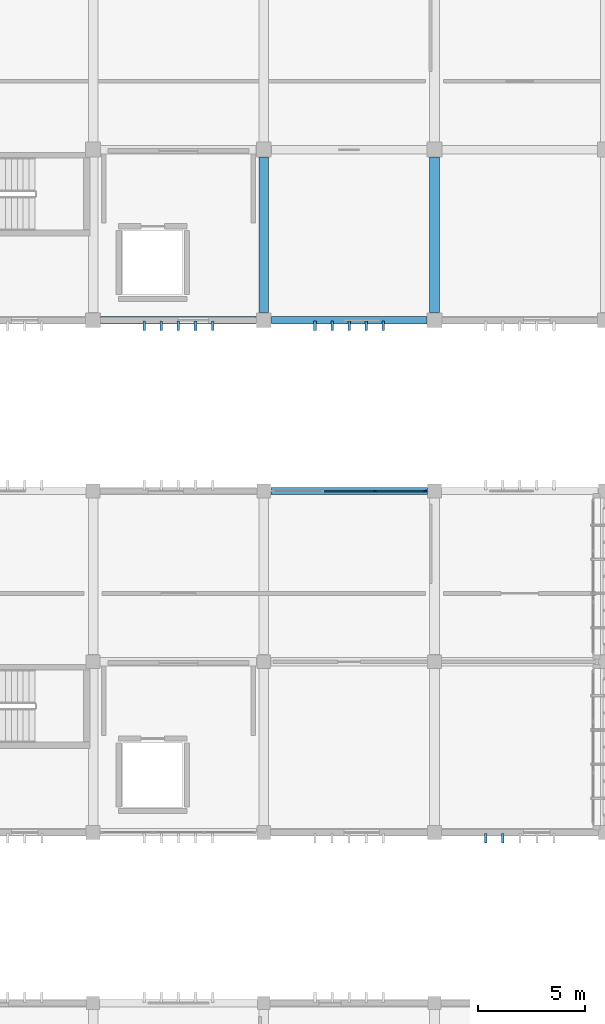
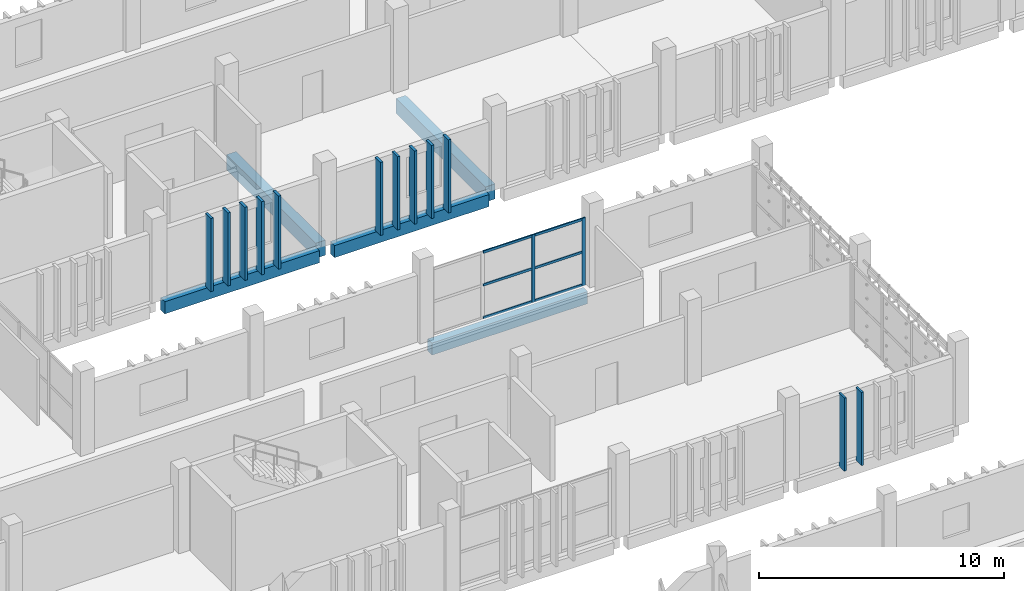
# One storey, part 28 of 137: 20 members, 5 beams, 1 element without a shape of its own.
"""IFC4 building model written with IfcOpenShell, lengths in metres."""

from ifc_helpers import new_model, si_unit, direction, frame, origin, origin_2d, place, context, subcontext, project, spatial, rectangle, extrude, material, layer, layer_set, material_profile, profile_set, type_object, element, aggregate, save


model = new_model("IFC4")

# Units and contexts
model_context = context("Model", 3, precision=1e-05, world=origin(), true_north=direction((0.0, 1.0)))
body_context = subcontext(model_context, "Body", "Model", "MODEL_VIEW")
ifc_project = project(units=[si_unit("LENGTHUNIT", "METRE"), si_unit("AREAUNIT", "SQUARE_METRE"), si_unit("VOLUMEUNIT", "CUBIC_METRE"), si_unit("PLANEANGLEUNIT", "RADIAN"), si_unit("MASSUNIT", "GRAM", prefix="KILO")], contexts=[model_context])

# Site, building, storey
site_placement = place(None, origin())
site = spatial("IfcSite", under=ifc_project, at=site_placement, CompositionType="ELEMENT")
building_placement = place(site_placement, origin())
building = spatial("IfcBuilding", under=site, at=building_placement, Name="Jelvoka-Kovrelna Polytechnic", CompositionType="ELEMENT")
storey_placement = place(building_placement, frame((0.0, 0.0, 9.60009765625)))
storey = spatial("IfcBuildingStorey", under=building, at=storey_placement, Name="L03", CompositionType="ELEMENT", Elevation=9.60009765625)

# Beams
ifc_material_1 = material(Name="Concrete C40/50", Category="concrete")
ifc_material_profile_1 = material_profile(ifc_material_1, rectangle(XDim=0.449951171875, YDim=0.75, at=origin_2d()), Name="RC 450x750")
ifc_profile_set_1 = profile_set([ifc_material_profile_1], Name="Concrete C40/50")
beam_type_1 = type_object("IfcBeamType", Name="Beam_RC_450x750", PredefinedType="BEAM", material=ifc_profile_set_1)
for number, where, z_axis, x_axis, name in (
    (1, (96.0, 56.35498046875, -0.64013671875), (0.0, 1.0, 0.0), (-1.0, 0.0, 0.0), "L03 beam 1034"),
    (2, (104.0, 56.35498046875, -0.64013671875), (0.0, 1.0, 0.0), (-1.0, 0.0, 0.0), "L03 beam 1036"),
):
    element("IfcBeam", number, at=place(storey_placement, frame(where, z_axis=z_axis, x_axis=x_axis)), inside=storey, type_object=beam_type_1, Name=name, PredefinedType="BEAM", context=body_context, shape_type="SweptSolid", body=[
        extrude(rectangle(XDim=0.449951171875, YDim=0.75, at=origin_2d()), origin(), (0.0, 0.0, 1.0), 7.2900390625),
    ])

# Members
ifc_material_2 = material(Name="Precast concrete C40/50", Category="concrete")
ifc_material_profile_2 = material_profile(ifc_material_2, rectangle(XDim=0.10009765625, YDim=0.449951171875, at=origin_2d()), Name="PC 100x450")
ifc_profile_set_2 = profile_set([ifc_material_profile_2], Name="Precast concrete C40/50")
member_type_1 = type_object("IfcMemberType", Name="Louvre_Fin_100x450", PredefinedType="USERDEFINED", material=ifc_profile_set_2)
for number, where, z_axis, x_axis, name in (
    (3, (106.39990234375, 31.735107421875, -0.27001953125), (0.0, 0.0, 1.0), (1.0, 0.0, 0.0), "L03 B2W south vertical solar louvre fin 0691"),
    (4, (107.199951171875, 31.735107421875, -0.27001953125), (0.0, 0.0, 1.0), (1.0, 0.0, 0.0), "L03 B2W south vertical solar louvre fin 0692"),
):
    element("IfcMember", number, at=place(storey_placement, frame(where, z_axis=z_axis, x_axis=x_axis)), inside=storey, type_object=member_type_1, Name=name, ObjectType="SUNSHADE", PredefinedType="USERDEFINED", context=body_context, shape_type="SweptSolid", body=[
        extrude(rectangle(XDim=0.10009765625, YDim=0.449951171875, at=origin_2d()), origin(), (0.0, 0.0, 1.0), 3.64501953125),
    ])
ifc_material_3 = material(Name="Precast concrete C40/50", Category="concrete")
ifc_material_profile_3 = material_profile(ifc_material_3, rectangle(XDim=0.1201171875, YDim=0.449951171875, at=origin_2d()), Name="PC 120x450")
ifc_profile_set_3 = profile_set([ifc_material_profile_3], Name="Precast concrete C40/50")
member_type_2 = type_object("IfcMemberType", Name="Louvre_Fin_120x450", PredefinedType="USERDEFINED", material=ifc_profile_set_3)
for number, where, z_axis, x_axis, name in (
    (5, (90.39990234375, 55.735107421875, -0.27001953125), (0.0, 0.0, 1.0), (1.0, 0.0, 0.0), "L03 B3 south vertical solar louvre fin 1496"),
    (6, (91.199951171875, 55.735107421875, -0.27001953125), (0.0, 0.0, 1.0), (1.0, 0.0, 0.0), "L03 B3 south vertical solar louvre fin 1497"),
    (7, (92.0, 55.735107421875, -0.27001953125), (0.0, 0.0, 1.0), (1.0, 0.0, 0.0), "L03 B3 south vertical solar louvre fin 1498"),
    (8, (92.800048828125, 55.735107421875, -0.27001953125), (0.0, 0.0, 1.0), (1.0, 0.0, 0.0), "L03 B3 south vertical solar louvre fin 1499"),
    (9, (93.60009765625, 55.735107421875, -0.27001953125), (0.0, 0.0, 1.0), (1.0, 0.0, 0.0), "L03 B3 south vertical solar louvre fin 1500"),
    (10, (98.39990234375, 55.735107421875, -0.27001953125), (0.0, 0.0, 1.0), (1.0, 0.0, 0.0), "L03 B3 south vertical solar louvre fin 1506"),
    (11, (99.199951171875, 55.735107421875, -0.27001953125), (0.0, 0.0, 1.0), (1.0, 0.0, 0.0), "L03 B3 south vertical solar louvre fin 1507"),
    (12, (100.0, 55.735107421875, -0.27001953125), (0.0, 0.0, 1.0), (1.0, 0.0, 0.0), "L03 B3 south vertical solar louvre fin 1508"),
    (13, (100.800048828125, 55.735107421875, -0.27001953125), (0.0, 0.0, 1.0), (1.0, 0.0, 0.0), "L03 B3 south vertical solar louvre fin 1509"),
    (14, (101.60009765625, 55.735107421875, -0.27001953125), (0.0, 0.0, 1.0), (1.0, 0.0, 0.0), "L03 B3 south vertical solar louvre fin 1510"),
):
    element("IfcMember", number, at=place(storey_placement, frame(where, z_axis=z_axis, x_axis=x_axis)), inside=storey, type_object=member_type_2, Name=name, ObjectType="SUNSHADE", PredefinedType="USERDEFINED", context=body_context, shape_type="SweptSolid", body=[
        extrude(rectangle(XDim=0.1201171875, YDim=0.449951171875, at=origin_2d()), origin(), (0.0, 0.0, 1.0), 3.64501953125),
    ])

# Curtain wall, members
ifc_material_4 = material(Name="Anodised aluminium 6063-T6", Category="aluminium")
ifc_layer = layer(ifc_material_4, 0.159912109375)
ifc_layer_set = layer_set([ifc_layer], Name="Anodised aluminium 6063-T6")
curtain_wall_type = type_object("IfcCurtainWallType", Name="CW_Recessed_A", PredefinedType="NOTDEFINED", material=ifc_layer_set)
curtain_wall_placement = place(storey_placement, origin())
curtain_wall = element("IfcCurtainWall", 15, at=curtain_wall_placement, inside=storey, type_object=curtain_wall_type, Name="L03 glazed curtain wall 024", PredefinedType="NOTDEFINED")
ifc_material_5 = material(Name="Anodised aluminium 6063-T6", Category="aluminium")
ifc_material_profile_4 = material_profile(ifc_material_5, rectangle(XDim=0.06005859375, YDim=0.159912109375, at=origin_2d()), Name="ALU 60x160")
ifc_profile_set_4 = profile_set([ifc_material_profile_4], Name="Anodised aluminium 6063-T6")
member_type_3 = type_object("IfcMemberType", Name="Mullion_M-01", PredefinedType="MULLION", material=ifc_profile_set_4)
member_1_placement = place(storey_placement, frame((101.199951171875, 48.0, -0.02490234375), z_axis=(0.0, 0.0, 1.0), x_axis=(0.0, 1.0, 0.0)))
member_1 = element("IfcMember", 16, at=member_1_placement, type_object=member_type_3, Name="CW-01 mullion 3", PredefinedType="MULLION", context=body_context, shape_type="SweptSolid", body=[
    extrude(rectangle(XDim=0.06005859375, YDim=0.159912109375, at=origin_2d()), origin(), (0.0, 0.0, 1.0), 3.375),
])
member_2_placement = place(storey_placement, frame((103.570068359375, 48.0, -0.02490234375), z_axis=(0.0, 0.0, 1.0), x_axis=(0.0, 1.0, 0.0)))
member_2 = element("IfcMember", 17, at=member_2_placement, type_object=member_type_3, Name="CW-01 mullion 4", PredefinedType="MULLION", context=body_context, shape_type="SweptSolid", body=[
    extrude(rectangle(XDim=0.06005859375, YDim=0.159912109375, at=origin_2d()), origin(), (0.0, 0.0, 1.0), 3.375),
])

# Beams
ifc_material_6 = material(Name="Concrete C40/50", Category="concrete")
ifc_material_profile_5 = material_profile(ifc_material_6, rectangle(XDim=0.35009765625, YDim=0.60009765625, at=origin_2d()), Name="RC 350x600")
ifc_profile_set_5 = profile_set([ifc_material_profile_5], Name="Concrete C40/50")
beam_type_2 = type_object("IfcBeamType", Name="Spandrel_RC_350x600", PredefinedType="SPANDREL", material=ifc_profile_set_5)
beam_placement = place(storey_placement, frame((96.330078125, 48.0, -0.565185546875), z_axis=(1.0, 0.0, 0.0), x_axis=(0.0, 1.0, 0.0)))
element("IfcBeam", 18, at=beam_placement, inside=storey, type_object=beam_type_2, Name="L03 beam 0945", PredefinedType="SPANDREL", context=body_context, shape_type="SweptSolid", body=[
    extrude(rectangle(XDim=0.35009765625, YDim=0.60009765625, at=origin_2d()), origin(), (0.0, 0.0, 1.0), 7.33984375),
])
for number, where, z_axis, x_axis, name in (
    (19, (88.35498046875, 56.0, -0.565185546875), (1.0, 0.0, 0.0), (0.0, 1.0, 0.0), "L03 beam 1008"),
    (20, (96.35498046875, 56.0, -0.565185546875), (1.0, 0.0, 0.0), (0.0, 1.0, 0.0), "L03 beam 1009"),
):
    element("IfcBeam", number, at=place(storey_placement, frame(where, z_axis=z_axis, x_axis=x_axis)), inside=storey, type_object=beam_type_2, Name=name, PredefinedType="SPANDREL", context=body_context, shape_type="SweptSolid", body=[
        extrude(rectangle(XDim=0.35009765625, YDim=0.60009765625, at=origin_2d()), origin(), (0.0, 0.0, 1.0), 7.2900390625),
    ])

# Member
ifc_material_7 = material(Name="Anodised aluminium 6063-T6", Category="aluminium")
ifc_material_profile_6 = material_profile(ifc_material_7, rectangle(XDim=0.06005859375, YDim=0.1201171875, at=origin_2d()), Name="ALU 60x120")
ifc_profile_set_6 = profile_set([ifc_material_profile_6], Name="Anodised aluminium 6063-T6")
member_type_4 = type_object("IfcMemberType", Name="Transom_T-01", PredefinedType="USERDEFINED", material=ifc_profile_set_6)
member_3_placement = place(storey_placement, frame((98.830078125, 48.0, 0.02978515625), z_axis=(1.0, 0.0, 0.0), x_axis=(0.0, 1.0, 0.0)))
member_3 = element("IfcMember", 21, at=member_3_placement, type_object=member_type_4, Name="CW-01 transom 2.1", ObjectType="TRANSOM", PredefinedType="USERDEFINED", context=body_context, shape_type="SweptSolid", body=[
    extrude(rectangle(XDim=0.06005859375, YDim=0.1201171875, at=origin_2d()), origin(), (0.0, 0.0, 1.0), 2.33984375),
])

member_4_placement = place(storey_placement, frame((98.830078125, 48.0, 1.662353515625), z_axis=(1.0, 0.0, 0.0), x_axis=(0.0, 1.0, 0.0)))
member_4 = element("IfcMember", 22, at=member_4_placement, type_object=member_type_4, Name="CW-01 transom 2.2", ObjectType="TRANSOM", PredefinedType="USERDEFINED", context=body_context, shape_type="SweptSolid", body=[
    extrude(rectangle(XDim=0.06005859375, YDim=0.1201171875, at=origin_2d()), origin(), (0.0, 0.0, 1.0), 2.33984375),
])

member_5_placement = place(storey_placement, frame((98.830078125, 48.0, 3.294921875), z_axis=(1.0, 0.0, 0.0), x_axis=(0.0, 1.0, 0.0)))
member_5 = element("IfcMember", 23, at=member_5_placement, type_object=member_type_4, Name="CW-01 transom 2.3", ObjectType="TRANSOM", PredefinedType="USERDEFINED", context=body_context, shape_type="SweptSolid", body=[
    extrude(rectangle(XDim=0.06005859375, YDim=0.1201171875, at=origin_2d()), origin(), (0.0, 0.0, 1.0), 2.33984375),
])

member_6_placement = place(storey_placement, frame((101.22998046875, 48.0, 0.02978515625), z_axis=(1.0, 0.0, 0.0), x_axis=(0.0, 1.0, 0.0)))
member_6 = element("IfcMember", 24, at=member_6_placement, type_object=member_type_4, Name="CW-01 transom 3.1", ObjectType="TRANSOM", PredefinedType="USERDEFINED", context=body_context, shape_type="SweptSolid", body=[
    extrude(rectangle(XDim=0.06005859375, YDim=0.1201171875, at=origin_2d()), origin(), (0.0, 0.0, 1.0), 2.31005859375),
])

member_7_placement = place(storey_placement, frame((101.22998046875, 48.0, 1.662353515625), z_axis=(1.0, 0.0, 0.0), x_axis=(0.0, 1.0, 0.0)))
member_7 = element("IfcMember", 25, at=member_7_placement, type_object=member_type_4, Name="CW-01 transom 3.2", ObjectType="TRANSOM", PredefinedType="USERDEFINED", context=body_context, shape_type="SweptSolid", body=[
    extrude(rectangle(XDim=0.06005859375, YDim=0.1201171875, at=origin_2d()), origin(), (0.0, 0.0, 1.0), 2.31005859375),
])

member_8_placement = place(storey_placement, frame((101.22998046875, 48.0, 3.294921875), z_axis=(1.0, 0.0, 0.0), x_axis=(0.0, 1.0, 0.0)))
member_8 = element("IfcMember", 26, at=member_8_placement, type_object=member_type_4, Name="CW-01 transom 3.3", ObjectType="TRANSOM", PredefinedType="USERDEFINED", context=body_context, shape_type="SweptSolid", body=[
    extrude(rectangle(XDim=0.06005859375, YDim=0.1201171875, at=origin_2d()), origin(), (0.0, 0.0, 1.0), 2.31005859375),
])

aggregate(curtain_wall, [member_1, member_2, member_3, member_4, member_5, member_6, member_7, member_8])

save(model, "model.ifc")
